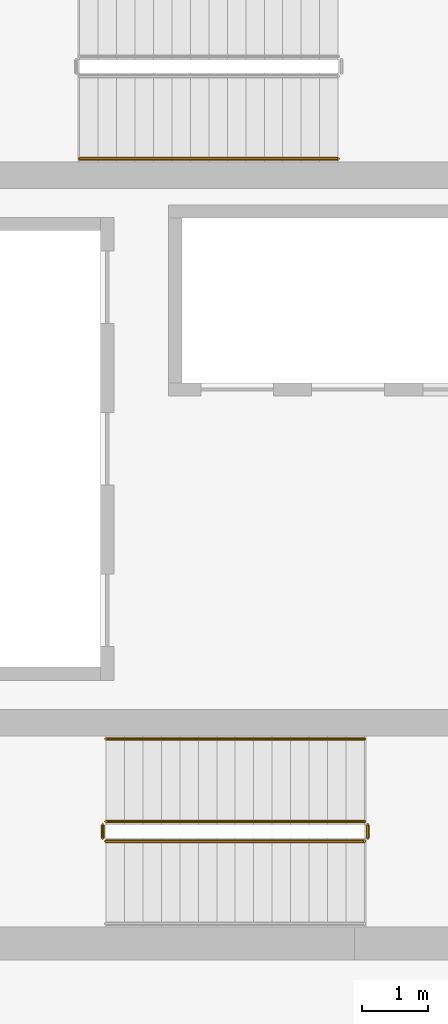
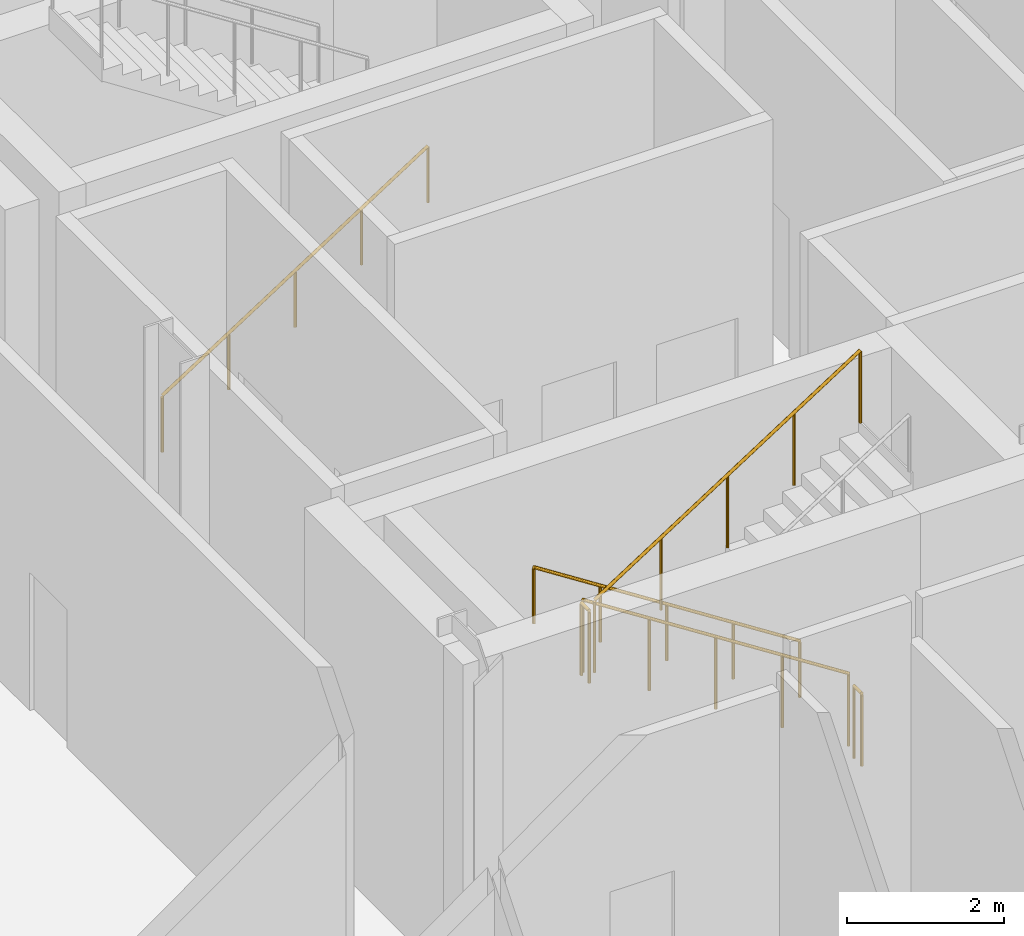
# One storey, part 27 of 32: 6 railings.
"""IFC4 building model written with IfcOpenShell, lengths in metres."""

from ifc_helpers import new_model, si_unit, direction, frame, origin, origin_2d, place, context, subcontext, project, spatial, circle, extrude, material, type_object, element, save


model = new_model("IFC4")

# Units and contexts
model_context = context("Model", 3, precision=1e-05, world=origin(), true_north=direction((0.0, 1.0)))
body_context = subcontext(model_context, "Body", "Model", "MODEL_VIEW")
ifc_project = project(units=[si_unit("LENGTHUNIT", "METRE"), si_unit("AREAUNIT", "SQUARE_METRE"), si_unit("VOLUMEUNIT", "CUBIC_METRE"), si_unit("PLANEANGLEUNIT", "RADIAN"), si_unit("MASSUNIT", "GRAM", prefix="KILO")], contexts=[model_context])

# Site, building, storey
site_placement = place(None, origin())
site = spatial("IfcSite", under=ifc_project, at=site_placement, CompositionType="ELEMENT")
building_placement = place(site_placement, origin())
building = spatial("IfcBuilding", under=site, at=building_placement, Name="Barlavira Tower and Art Museum", CompositionType="ELEMENT")
storey_placement = place(building_placement, frame((0.0, 0.0, 6.0)))
storey = spatial("IfcBuildingStorey", under=building, at=storey_placement, Name="L01", CompositionType="ELEMENT", Elevation=6.0)

# Railings
ifc_material = material(Name="Brushed stainless steel", Category="steel")
railing_type_1 = type_object("IfcRailingType", Name="Interior Void and Landing Guard Railing 1150", PredefinedType="GUARDRAIL", material=ifc_material)
railing_1_placement = place(storey_placement, frame((0.14990234375, -5.64990234375, 0.179931640625)))
element("IfcRailing", 1, at=railing_1_placement, inside=storey, type_object=railing_type_1, Name="L01 ST-T1 stair guard 1", PredefinedType="GUARDRAIL", context=body_context, shape_type="SweptSolid", body=[
    extrude(circle(Radius=0.02392578125, at=origin_2d()), frame((0.0, 0.0, 1.1259765625), z_axis=(-0.841171666519, 0.0, 0.540768182723), x_axis=(0.0, -1.0, 0.0)), (0.0, 0.0, 1.0), 4.66015625),
    extrude(circle(Radius=0.02099609375, at=origin_2d()), origin(), (0.0, 0.0, 1.0), 1.101806640625),
    extrude(circle(Radius=0.02099609375, at=origin_2d()), frame((-0.97998046875, 0.0, 0.6298828125)), (0.0, 0.0, 1.0), 1.101806640625),
    extrude(circle(Radius=0.02099609375, at=origin_2d()), frame((-1.9599609375, 0.0, 1.260009765625)), (0.0, 0.0, 1.0), 1.101806640625),
    extrude(circle(Radius=0.02099609375, at=origin_2d()), frame((-2.93994140625, 0.0, 1.89013671875)), (0.0, 0.0, 1.0), 1.101806640625),
    extrude(circle(Radius=0.02099609375, at=origin_2d()), frame((-3.919921875, 0.0, 2.52001953125)), (0.0, 0.0, 1.0), 1.101806640625),
])
railing_2_placement = place(storey_placement, frame((-3.820068359375, -5.699951171875, 2.699951171875)))
element("IfcRailing", 2, at=railing_2_placement, inside=storey, type_object=railing_type_1, Name="L01 ST-T1 stair guard 2", PredefinedType="GUARDRAIL", context=body_context, shape_type="SweptSolid", body=[
    extrude(circle(Radius=0.02392578125, at=origin_2d()), frame((0.0, 0.0, 1.1259765625), z_axis=(0.0, -1.0, 0.0), x_axis=(1.0, 0.0, 0.0)), (0.0, 0.0, 1.0), 0.199951171875),
    extrude(circle(Radius=0.02099609375, at=origin_2d()), origin(), (0.0, 0.0, 1.0), 1.101806640625),
    extrude(circle(Radius=0.02099609375, at=origin_2d()), frame((0.0, -0.199951171875, 0.0)), (0.0, 0.0, 1.0), 1.101806640625),
])
railing_3_placement = place(storey_placement, frame((-3.77001953125, -5.949951171875, 2.8798828125)))
element("IfcRailing", 3, at=railing_3_placement, inside=storey, type_object=railing_type_1, Name="L01 ST-T1 stair guard 3", PredefinedType="GUARDRAIL", context=body_context, shape_type="SweptSolid", body=[
    extrude(circle(Radius=0.02392578125, at=origin_2d()), frame((0.0, 0.0, 1.1259765625), z_axis=(0.841171666519, 0.0, 0.540768182723), x_axis=(0.0, 1.0, 0.0)), (0.0, 0.0, 1.0), 4.66015625),
    extrude(circle(Radius=0.02099609375, at=origin_2d()), origin(), (0.0, 0.0, 1.0), 1.101806640625),
    extrude(circle(Radius=0.02099609375, at=origin_2d()), frame((0.97998046875, 0.0, 0.6298828125)), (0.0, 0.0, 1.0), 1.101806640625),
    extrude(circle(Radius=0.02099609375, at=origin_2d()), frame((1.9599609375, 0.0, 1.260009765625)), (0.0, 0.0, 1.0), 1.101806640625),
    extrude(circle(Radius=0.02099609375, at=origin_2d()), frame((2.93994140625, 0.0, 1.89013671875)), (0.0, 0.0, 1.0), 1.101806640625),
    extrude(circle(Radius=0.02099609375, at=origin_2d()), frame((3.919921875, 0.0, 2.52001953125)), (0.0, 0.0, 1.0), 1.101806640625),
])
railing_4_placement = place(storey_placement, frame((0.199951171875, -5.699951171875, 0.0)))
element("IfcRailing", 4, at=railing_4_placement, inside=storey, type_object=railing_type_1, Name="L01 ST-T1 stair guard 4", PredefinedType="GUARDRAIL", context=body_context, shape_type="SweptSolid", body=[
    extrude(circle(Radius=0.02392578125, at=origin_2d()), frame((0.0, 0.0, 1.1259765625), z_axis=(0.0, -1.0, 0.0), x_axis=(1.0, 0.0, 0.0)), (0.0, 0.0, 1.0), 0.199951171875),
    extrude(circle(Radius=0.02099609375, at=origin_2d()), origin(), (0.0, 0.0, 1.0), 1.101806640625),
    extrude(circle(Radius=0.02099609375, at=origin_2d()), frame((0.0, -0.199951171875, 0.0)), (0.0, 0.0, 1.0), 1.101806640625),
])
railing_type_2 = type_object("IfcRailingType", Name="Stair Pitch Tubular Steel Handrail 920", PredefinedType="HANDRAIL", material=ifc_material)
railing_5_placement = place(storey_placement, frame((0.14990234375, -4.39990234375, 0.179931640625)))
element("IfcRailing", 5, at=railing_5_placement, inside=storey, type_object=railing_type_2, Name="L01 ST-T1 stair handrail 1", PredefinedType="HANDRAIL", context=body_context, shape_type="SweptSolid", body=[
    extrude(circle(Radius=0.02392578125, at=origin_2d()), frame((0.0, 0.0, 0.8759765625), z_axis=(-0.841171666519, 0.0, 0.540768182723), x_axis=(0.0, -1.0, 0.0)), (0.0, 0.0, 1.0), 4.66015625),
    extrude(circle(Radius=0.02099609375, at=origin_2d()), origin(), (0.0, 0.0, 1.0), 0.851806640625),
    extrude(circle(Radius=0.02099609375, at=origin_2d()), frame((-0.97998046875, 0.0, 0.6298828125)), (0.0, 0.0, 1.0), 0.851806640625),
    extrude(circle(Radius=0.02099609375, at=origin_2d()), frame((-1.9599609375, 0.0, 1.260009765625)), (0.0, 0.0, 1.0), 0.851806640625),
    extrude(circle(Radius=0.02099609375, at=origin_2d()), frame((-2.93994140625, 0.0, 1.89013671875)), (0.0, 0.0, 1.0), 0.851806640625),
    extrude(circle(Radius=0.02099609375, at=origin_2d()), frame((-3.919921875, 0.0, 2.52001953125)), (0.0, 0.0, 1.0), 0.851806640625),
])
railing_6_placement = place(storey_placement, frame((-4.169921875, 4.39990234375, 0.179931640625)))
element("IfcRailing", 6, at=railing_6_placement, inside=storey, type_object=railing_type_2, Name="L01 ST-T2 stair handrail 1", PredefinedType="HANDRAIL", context=body_context, shape_type="SweptSolid", body=[
    extrude(circle(Radius=0.02392578125, at=origin_2d()), frame((0.0, 0.0, 0.8759765625), z_axis=(0.841171666519, 0.0, 0.540768182723), x_axis=(0.0, 1.0, 0.0)), (0.0, 0.0, 1.0), 4.66015625),
    extrude(circle(Radius=0.02099609375, at=origin_2d()), origin(), (0.0, 0.0, 1.0), 0.851806640625),
    extrude(circle(Radius=0.02099609375, at=origin_2d()), frame((0.97998046875, 0.0, 0.6298828125)), (0.0, 0.0, 1.0), 0.851806640625),
    extrude(circle(Radius=0.02099609375, at=origin_2d()), frame((1.9599609375, 0.0, 1.260009765625)), (0.0, 0.0, 1.0), 0.851806640625),
    extrude(circle(Radius=0.02099609375, at=origin_2d()), frame((2.93994140625, 0.0, 1.89013671875)), (0.0, 0.0, 1.0), 0.851806640625),
    extrude(circle(Radius=0.02099609375, at=origin_2d()), frame((3.919921875, 0.0, 2.52001953125)), (0.0, 0.0, 1.0), 0.851806640625),
])

save(model, "model.ifc")
